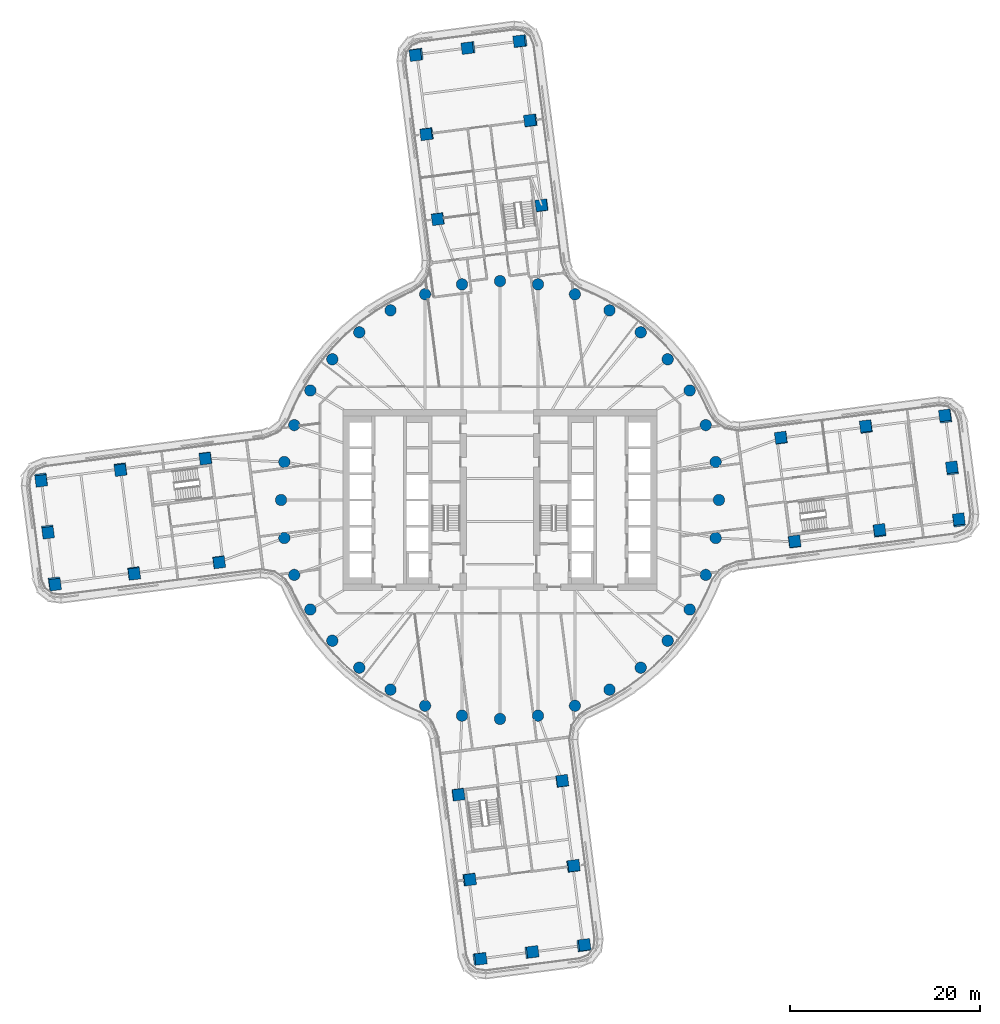
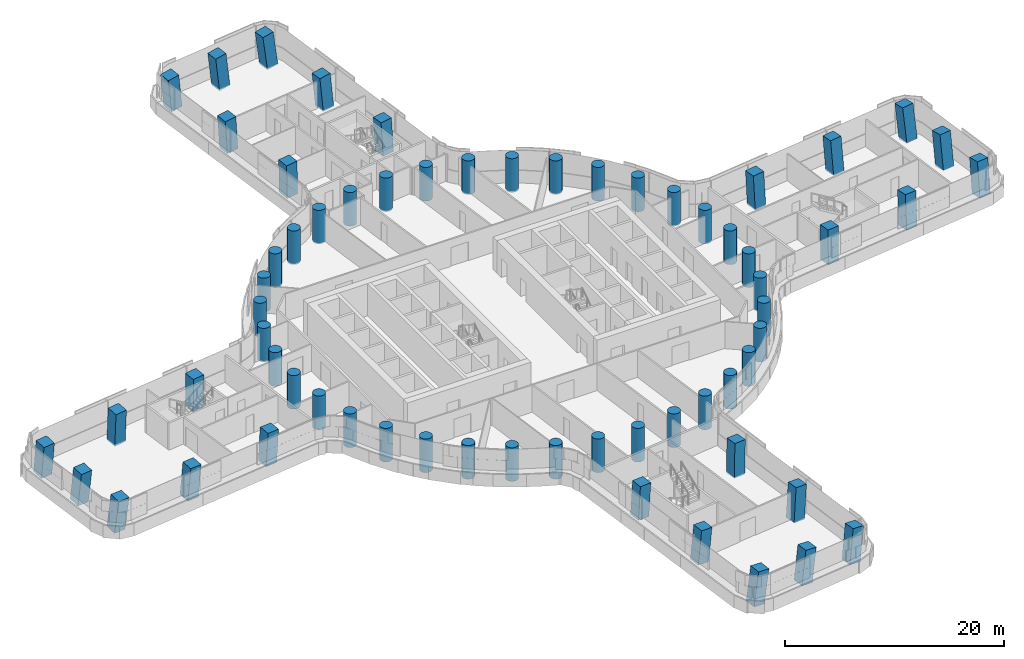
# One storey, part 1 of 31: 64 columns.
"""IFC4 building model written with IfcOpenShell, lengths in metres."""

from ifc_helpers import new_model, si_unit, direction, frame, origin, origin_2d, place, context, subcontext, project, spatial, rectangle, circle, extrude, material, material_profile, profile_set, type_object, element, save


model = new_model("IFC4")

# Units and contexts
model_context = context("Model", 3, precision=1e-05, world=origin(), true_north=direction((0.0, 1.0)))
body_context = subcontext(model_context, "Body", "Model", "MODEL_VIEW")
ifc_project = project(units=[si_unit("LENGTHUNIT", "METRE"), si_unit("AREAUNIT", "SQUARE_METRE"), si_unit("VOLUMEUNIT", "CUBIC_METRE"), si_unit("PLANEANGLEUNIT", "RADIAN"), si_unit("MASSUNIT", "GRAM", prefix="KILO")], contexts=[model_context])

# Site, building, storey
site_placement = place(None, origin())
site = spatial("IfcSite", under=ifc_project, at=site_placement, CompositionType="ELEMENT")
building_placement = place(site_placement, origin())
building = spatial("IfcBuilding", under=site, at=building_placement, Name="Tamarind Cross Interchange Tower", CompositionType="ELEMENT")
storey_placement = place(building_placement, frame((0.0, 0.0, 60.25)))
storey = spatial("IfcBuildingStorey", under=building, at=storey_placement, Name="L13", CompositionType="ELEMENT", Elevation=60.25)

# Columns
ifc_material = material(Name="Concrete C70", Category="concrete")
ifc_material_profile_1 = material_profile(ifc_material, rectangle(XDim=1.199951171875, YDim=1.199951171875, at=origin_2d()), Name="RC 1200x1200")
ifc_profile_set_1 = profile_set([ifc_material_profile_1], Name="Concrete C70")
column_type_1 = type_object("IfcColumnType", Name="Column RC 1200x1200 Concrete C70", PredefinedType="COLUMN", material=ifc_profile_set_1)
for number, where, z_axis, x_axis, name in (
    (1, (38.458984375, 7.65771484375, -0.138427734375), (-0.037775895651, 0.079381306496, 0.996128299913), (0.125309658626, -0.988594820619, 0.083533047953), "Column L13-036"),
    (2, (39.859375, -3.2529296875, -0.138427734375), (0.01499348981, 0.08665068786, 0.99612592254), (-0.991706370118, -0.125892030521, 0.025878023864), "Column L13-037"),
):
    element("IfcColumn", number, at=place(storey_placement, frame(where, z_axis=z_axis, x_axis=x_axis)), inside=storey, type_object=column_type_1, Name=name, PredefinedType="COLUMN", context=body_context, shape_type="SweptSolid", body=[
        extrude(rectangle(XDim=1.199951171875, YDim=1.199951171875, at=origin_2d()), origin(), (0.0, 0.0, 1.0), 3.761474609375),
    ])
for number, where, z_axis, x_axis, name in (
    (3, (29.5322265625, 6.511962890625, -0.138671875), (-0.031951689968, 0.036246621817, 0.998831953792), (0.127178856387, -0.991071576846, 0.040033336816), "Column L13-038"),
    (4, (30.9326171875, -4.398681640625, -0.138671875), (0.020954005809, 0.043599949975, 0.998829301734), (-0.991530870144, -0.127169597783, 0.026351981934), "Column L13-039"),
):
    element("IfcColumn", number, at=place(storey_placement, frame(where, z_axis=z_axis, x_axis=x_axis)), inside=storey, type_object=column_type_1, Name=name, PredefinedType="COLUMN", context=body_context, shape_type="SweptSolid", body=[
        extrude(rectangle(XDim=1.199951171875, YDim=1.199951171875, at=origin_2d()), origin(), (0.0, 0.0, 1.0), 3.751708984375),
    ])
column_1_placement = place(storey_placement, frame((48.199951171875, -2.182373046875, -0.138671875), z_axis=(0.002456162803, 0.125458210522, 0.992095864661), x_axis=(-0.991838353166, -0.126165557958, 0.018410137821)))
element("IfcColumn", 5, at=column_1_placement, inside=storey, type_object=column_type_1, Name="Column L13-040", PredefinedType="COLUMN", context=body_context, shape_type="SweptSolid", body=[
    extrude(rectangle(XDim=1.199951171875, YDim=1.199951171875, at=origin_2d()), origin(), (0.0, 0.0, 1.0), 3.777099609375),
])
column_2_placement = place(storey_placement, frame((47.499755859375, 3.27294921875, -0.138671875), z_axis=(-0.023789987305, 0.121859038234, 0.992262269415), x_axis=(0.125527909354, -0.98432367398, 0.123893699661)))
element("IfcColumn", 6, at=column_2_placement, inside=storey, type_object=column_type_1, Name="Column L13-041", PredefinedType="COLUMN", context=body_context, shape_type="SweptSolid", body=[
    extrude(rectangle(XDim=1.199951171875, YDim=1.199951171875, at=origin_2d()), origin(), (0.0, 0.0, 1.0), 3.776611328125),
])
column_3_placement = place(storey_placement, frame((46.799560546875, 8.728271484375, -0.138427734375), z_axis=(-0.050080707478, 0.118190469649, 0.991727248604), x_axis=(0.124106413523, -0.984540677402, 0.123601183909)))
element("IfcColumn", 7, at=column_3_placement, inside=storey, type_object=column_type_1, Name="Column L13-042", PredefinedType="COLUMN", context=body_context, shape_type="SweptSolid", body=[
    extrude(rectangle(XDim=1.199951171875, YDim=1.199951171875, at=origin_2d()), origin(), (0.0, 0.0, 1.0), 3.778076171875),
])
for number, where, z_axis, x_axis, name in (
    (8, (-7.65771484375, 38.458984375, -0.138427734375), (-0.079381306496, -0.037775895651, 0.996128299913), (0.988594820619, 0.125309658626, 0.083533047953), "Column L13-043"),
    (9, (3.2529296875, 39.859375, -0.138427734375), (-0.08665068786, 0.01499348981, 0.99612592254), (0.125892030521, -0.991706370118, 0.025878023864), "Column L13-044"),
):
    element("IfcColumn", number, at=place(storey_placement, frame(where, z_axis=z_axis, x_axis=x_axis)), inside=storey, type_object=column_type_1, Name=name, PredefinedType="COLUMN", context=body_context, shape_type="SweptSolid", body=[
        extrude(rectangle(XDim=1.199951171875, YDim=1.199951171875, at=origin_2d()), origin(), (0.0, 0.0, 1.0), 3.761474609375),
    ])
for number, where, z_axis, x_axis, name in (
    (10, (-6.511962890625, 29.5322265625, -0.138671875), (-0.036246621817, -0.031951689968, 0.998831953792), (0.991071576846, 0.127178856387, 0.040033336816), "Column L13-045"),
    (11, (4.398681640625, 30.9326171875, -0.138671875), (-0.043599949975, 0.020954005809, 0.998829301734), (0.127169597783, -0.991530870144, 0.026351981934), "Column L13-046"),
):
    element("IfcColumn", number, at=place(storey_placement, frame(where, z_axis=z_axis, x_axis=x_axis)), inside=storey, type_object=column_type_1, Name=name, PredefinedType="COLUMN", context=body_context, shape_type="SweptSolid", body=[
        extrude(rectangle(XDim=1.199951171875, YDim=1.199951171875, at=origin_2d()), origin(), (0.0, 0.0, 1.0), 3.751708984375),
    ])
column_4_placement = place(storey_placement, frame((2.182373046875, 48.199951171875, -0.138671875), z_axis=(-0.125458210522, 0.002456162803, 0.992095864661), x_axis=(0.126165557958, -0.991838353166, 0.018410137821)))
element("IfcColumn", 12, at=column_4_placement, inside=storey, type_object=column_type_1, Name="Column L13-047", PredefinedType="COLUMN", context=body_context, shape_type="SweptSolid", body=[
    extrude(rectangle(XDim=1.199951171875, YDim=1.199951171875, at=origin_2d()), origin(), (0.0, 0.0, 1.0), 3.777099609375),
])
column_5_placement = place(storey_placement, frame((-3.27294921875, 47.499755859375, -0.138671875), z_axis=(-0.121859038234, -0.023789987305, 0.992262269415), x_axis=(0.98432367398, 0.125527909354, 0.123893699661)))
element("IfcColumn", 13, at=column_5_placement, inside=storey, type_object=column_type_1, Name="Column L13-048", PredefinedType="COLUMN", context=body_context, shape_type="SweptSolid", body=[
    extrude(rectangle(XDim=1.199951171875, YDim=1.199951171875, at=origin_2d()), origin(), (0.0, 0.0, 1.0), 3.776611328125),
])
column_6_placement = place(storey_placement, frame((-8.728271484375, 46.799560546875, -0.138427734375), z_axis=(-0.118190469649, -0.050080707478, 0.991727248604), x_axis=(0.984540677402, 0.124106413523, 0.123601183909)))
element("IfcColumn", 14, at=column_6_placement, inside=storey, type_object=column_type_1, Name="Column L13-049", PredefinedType="COLUMN", context=body_context, shape_type="SweptSolid", body=[
    extrude(rectangle(XDim=1.199951171875, YDim=1.199951171875, at=origin_2d()), origin(), (0.0, 0.0, 1.0), 3.778076171875),
])
for number, where, z_axis, x_axis, name in (
    (15, (-38.458984375, -7.65771484375, -0.138427734375), (0.037775895651, -0.079381306496, 0.996128299913), (-0.125309658626, 0.988594820619, 0.083533047953), "Column L13-050"),
    (16, (-39.859375, 3.2529296875, -0.138427734375), (-0.01499348981, -0.08665068786, 0.99612592254), (0.991706370118, 0.125892030521, 0.025878023864), "Column L13-051"),
):
    element("IfcColumn", number, at=place(storey_placement, frame(where, z_axis=z_axis, x_axis=x_axis)), inside=storey, type_object=column_type_1, Name=name, PredefinedType="COLUMN", context=body_context, shape_type="SweptSolid", body=[
        extrude(rectangle(XDim=1.199951171875, YDim=1.199951171875, at=origin_2d()), origin(), (0.0, 0.0, 1.0), 3.761474609375),
    ])
for number, where, z_axis, x_axis, name in (
    (17, (-29.5322265625, -6.511962890625, -0.138671875), (0.031951689968, -0.036246621817, 0.998831953792), (-0.127178856387, 0.991071576846, 0.040033336816), "Column L13-052"),
    (18, (-30.9326171875, 4.398681640625, -0.138671875), (-0.020954005809, -0.043599949975, 0.998829301734), (0.991530870144, 0.127169597783, 0.026351981934), "Column L13-053"),
):
    element("IfcColumn", number, at=place(storey_placement, frame(where, z_axis=z_axis, x_axis=x_axis)), inside=storey, type_object=column_type_1, Name=name, PredefinedType="COLUMN", context=body_context, shape_type="SweptSolid", body=[
        extrude(rectangle(XDim=1.199951171875, YDim=1.199951171875, at=origin_2d()), origin(), (0.0, 0.0, 1.0), 3.751708984375),
    ])
column_7_placement = place(storey_placement, frame((-48.199951171875, 2.182373046875, -0.138671875), z_axis=(-0.002456162803, -0.125458210522, 0.992095864661), x_axis=(0.991838353166, 0.126165557958, 0.018410137821)))
element("IfcColumn", 19, at=column_7_placement, inside=storey, type_object=column_type_1, Name="Column L13-054", PredefinedType="COLUMN", context=body_context, shape_type="SweptSolid", body=[
    extrude(rectangle(XDim=1.199951171875, YDim=1.199951171875, at=origin_2d()), origin(), (0.0, 0.0, 1.0), 3.777099609375),
])
column_8_placement = place(storey_placement, frame((-47.499755859375, -3.27294921875, -0.138671875), z_axis=(0.023789987305, -0.121859038234, 0.992262269415), x_axis=(-0.125527909354, 0.98432367398, 0.123893699661)))
element("IfcColumn", 20, at=column_8_placement, inside=storey, type_object=column_type_1, Name="Column L13-055", PredefinedType="COLUMN", context=body_context, shape_type="SweptSolid", body=[
    extrude(rectangle(XDim=1.199951171875, YDim=1.199951171875, at=origin_2d()), origin(), (0.0, 0.0, 1.0), 3.776611328125),
])
column_9_placement = place(storey_placement, frame((-46.799560546875, -8.728271484375, -0.138427734375), z_axis=(0.050080707478, -0.118190469649, 0.991727248604), x_axis=(-0.124106413523, 0.984540677402, 0.123601183909)))
element("IfcColumn", 21, at=column_9_placement, inside=storey, type_object=column_type_1, Name="Column L13-056", PredefinedType="COLUMN", context=body_context, shape_type="SweptSolid", body=[
    extrude(rectangle(XDim=1.199951171875, YDim=1.199951171875, at=origin_2d()), origin(), (0.0, 0.0, 1.0), 3.778076171875),
])
for number, where, z_axis, x_axis, name in (
    (22, (7.65771484375, -38.458984375, -0.138427734375), (0.079381306496, 0.037775895651, 0.996128299913), (-0.988594820619, -0.125309658626, 0.083533047953), "Column L13-057"),
    (23, (-3.2529296875, -39.859375, -0.138427734375), (0.08665068786, -0.01499348981, 0.99612592254), (-0.125892030521, 0.991706370118, 0.025878023864), "Column L13-058"),
):
    element("IfcColumn", number, at=place(storey_placement, frame(where, z_axis=z_axis, x_axis=x_axis)), inside=storey, type_object=column_type_1, Name=name, PredefinedType="COLUMN", context=body_context, shape_type="SweptSolid", body=[
        extrude(rectangle(XDim=1.199951171875, YDim=1.199951171875, at=origin_2d()), origin(), (0.0, 0.0, 1.0), 3.761474609375),
    ])
for number, where, z_axis, x_axis, name in (
    (24, (6.511962890625, -29.5322265625, -0.138671875), (0.036246621817, 0.031951689968, 0.998831953792), (-0.991071576846, -0.127178856387, 0.040033336816), "Column L13-059"),
    (25, (-4.398681640625, -30.9326171875, -0.138671875), (0.043599949975, -0.020954005809, 0.998829301734), (-0.127169597783, 0.991530870144, 0.026351981934), "Column L13-060"),
):
    element("IfcColumn", number, at=place(storey_placement, frame(where, z_axis=z_axis, x_axis=x_axis)), inside=storey, type_object=column_type_1, Name=name, PredefinedType="COLUMN", context=body_context, shape_type="SweptSolid", body=[
        extrude(rectangle(XDim=1.199951171875, YDim=1.199951171875, at=origin_2d()), origin(), (0.0, 0.0, 1.0), 3.751708984375),
    ])
column_10_placement = place(storey_placement, frame((-2.182373046875, -48.199951171875, -0.138671875), z_axis=(0.125458210522, -0.002456162803, 0.992095864661), x_axis=(-0.126165557958, 0.991838353166, 0.018410137821)))
element("IfcColumn", 26, at=column_10_placement, inside=storey, type_object=column_type_1, Name="Column L13-061", PredefinedType="COLUMN", context=body_context, shape_type="SweptSolid", body=[
    extrude(rectangle(XDim=1.199951171875, YDim=1.199951171875, at=origin_2d()), origin(), (0.0, 0.0, 1.0), 3.777099609375),
])
column_11_placement = place(storey_placement, frame((3.27294921875, -47.499755859375, -0.138671875), z_axis=(0.121859038234, 0.023789987305, 0.992262269415), x_axis=(-0.98432367398, -0.125527909354, 0.123893699661)))
element("IfcColumn", 27, at=column_11_placement, inside=storey, type_object=column_type_1, Name="Column L13-062", PredefinedType="COLUMN", context=body_context, shape_type="SweptSolid", body=[
    extrude(rectangle(XDim=1.199951171875, YDim=1.199951171875, at=origin_2d()), origin(), (0.0, 0.0, 1.0), 3.776611328125),
])
column_12_placement = place(storey_placement, frame((8.728271484375, -46.799560546875, -0.138427734375), z_axis=(0.118190469649, 0.050080707478, 0.991727248604), x_axis=(-0.984540677402, -0.124106413523, 0.123601183909)))
element("IfcColumn", 28, at=column_12_placement, inside=storey, type_object=column_type_1, Name="Column L13-063", PredefinedType="COLUMN", context=body_context, shape_type="SweptSolid", body=[
    extrude(rectangle(XDim=1.199951171875, YDim=1.199951171875, at=origin_2d()), origin(), (0.0, 0.0, 1.0), 3.778076171875),
])
ifc_material_profile_2 = material_profile(ifc_material, circle(Radius=0.60009765625, at=origin_2d()), Name="RC D1200")
ifc_profile_set_2 = profile_set([ifc_material_profile_2], Name="Concrete C70")
column_type_2 = type_object("IfcColumnType", Name="Column RC D1200 Concrete C70", PredefinedType="COLUMN", material=ifc_profile_set_2)
for number, where, z_axis, x_axis, name in (
    (29, (23.0, 0.0, -0.139892578125), (0.0, 0.0, 1.0), (1.0, 0.0, 0.0), "Column L13-000"),
    (30, (22.650634765625, 3.993896484375, -0.139892578125), (0.0, 0.0, 1.0), (1.0, 0.0, 0.0), "Column L13-001"),
    (31, (21.613037109375, 7.866455078125, -0.139892578125), (0.0, 0.0, 1.0), (1.0, 0.0, 0.0), "Column L13-002"),
    (32, (19.918701171875, 11.5, -0.139892578125), (0.0, 0.0, 1.0), (1.0, 0.0, 0.0), "Column L13-003"),
    (33, (17.619140625, 14.7841796875, -0.139892578125), (0.0, 0.0, 1.0), (1.0, 0.0, 0.0), "Column L13-004"),
    (34, (14.7841796875, 17.619140625, -0.139892578125), (0.0, 0.0, 1.0), (1.0, 0.0, 0.0), "Column L13-005"),
    (35, (11.5, 19.918701171875, -0.139892578125), (0.0, 0.0, 1.0), (1.0, 0.0, 0.0), "Column L13-006"),
    (36, (7.866455078125, 21.613037109375, -0.139892578125), (0.0, 0.0, 1.0), (1.0, 0.0, 0.0), "Column L13-007"),
    (37, (3.993896484375, 22.650634765625, -0.139892578125), (0.0, 0.0, 1.0), (1.0, 0.0, 0.0), "Column L13-008"),
    (38, (0.0, 23.0, -0.139892578125), (0.0, 0.0, 1.0), (1.0, 0.0, 0.0), "Column L13-009"),
    (39, (-3.993896484375, 22.650634765625, -0.139892578125), (0.0, 0.0, 1.0), (1.0, 0.0, 0.0), "Column L13-010"),
    (40, (-7.866455078125, 21.613037109375, -0.139892578125), (0.0, 0.0, 1.0), (1.0, 0.0, 0.0), "Column L13-011"),
    (41, (-11.5, 19.918701171875, -0.139892578125), (0.0, 0.0, 1.0), (1.0, 0.0, 0.0), "Column L13-012"),
    (42, (-14.7841796875, 17.619140625, -0.139892578125), (0.0, 0.0, 1.0), (1.0, 0.0, 0.0), "Column L13-013"),
    (43, (-17.619140625, 14.7841796875, -0.139892578125), (0.0, 0.0, 1.0), (1.0, 0.0, 0.0), "Column L13-014"),
    (44, (-19.918701171875, 11.5, -0.139892578125), (0.0, 0.0, 1.0), (1.0, 0.0, 0.0), "Column L13-015"),
    (45, (-21.613037109375, 7.866455078125, -0.139892578125), (0.0, 0.0, 1.0), (1.0, 0.0, 0.0), "Column L13-016"),
    (46, (-22.650634765625, 3.993896484375, -0.139892578125), (0.0, 0.0, 1.0), (1.0, 0.0, 0.0), "Column L13-017"),
    (47, (-23.0, 0.0, -0.139892578125), (0.0, 0.0, 1.0), (1.0, 0.0, 0.0), "Column L13-018"),
    (48, (-22.650634765625, -3.993896484375, -0.139892578125), (0.0, 0.0, 1.0), (1.0, 0.0, 0.0), "Column L13-019"),
    (49, (-21.613037109375, -7.866455078125, -0.139892578125), (0.0, 0.0, 1.0), (1.0, 0.0, 0.0), "Column L13-020"),
    (50, (-19.918701171875, -11.5, -0.139892578125), (0.0, 0.0, 1.0), (1.0, 0.0, 0.0), "Column L13-021"),
    (51, (-17.619140625, -14.7841796875, -0.139892578125), (0.0, 0.0, 1.0), (1.0, 0.0, 0.0), "Column L13-022"),
    (52, (-14.7841796875, -17.619140625, -0.139892578125), (0.0, 0.0, 1.0), (1.0, 0.0, 0.0), "Column L13-023"),
    (53, (-11.5, -19.918701171875, -0.139892578125), (0.0, 0.0, 1.0), (1.0, 0.0, 0.0), "Column L13-024"),
    (54, (-7.866455078125, -21.613037109375, -0.139892578125), (0.0, 0.0, 1.0), (1.0, 0.0, 0.0), "Column L13-025"),
    (55, (-3.993896484375, -22.650634765625, -0.139892578125), (0.0, 0.0, 1.0), (1.0, 0.0, 0.0), "Column L13-026"),
    (56, (0.0, -23.0, -0.139892578125), (0.0, 0.0, 1.0), (1.0, 0.0, 0.0), "Column L13-027"),
    (57, (3.993896484375, -22.650634765625, -0.139892578125), (0.0, 0.0, 1.0), (1.0, 0.0, 0.0), "Column L13-028"),
    (58, (7.866455078125, -21.613037109375, -0.139892578125), (0.0, 0.0, 1.0), (1.0, 0.0, 0.0), "Column L13-029"),
    (59, (11.5, -19.918701171875, -0.139892578125), (0.0, 0.0, 1.0), (1.0, 0.0, 0.0), "Column L13-030"),
    (60, (14.7841796875, -17.619140625, -0.139892578125), (0.0, 0.0, 1.0), (1.0, 0.0, 0.0), "Column L13-031"),
    (61, (17.619140625, -14.7841796875, -0.139892578125), (0.0, 0.0, 1.0), (1.0, 0.0, 0.0), "Column L13-032"),
    (62, (19.918701171875, -11.5, -0.139892578125), (0.0, 0.0, 1.0), (1.0, 0.0, 0.0), "Column L13-033"),
    (63, (21.613037109375, -7.866455078125, -0.139892578125), (0.0, 0.0, 1.0), (1.0, 0.0, 0.0), "Column L13-034"),
    (64, (22.650634765625, -3.993896484375, -0.139892578125), (0.0, 0.0, 1.0), (1.0, 0.0, 0.0), "Column L13-035"),
):
    element("IfcColumn", number, at=place(storey_placement, frame(where, z_axis=z_axis, x_axis=x_axis)), inside=storey, type_object=column_type_2, Name=name, PredefinedType="COLUMN", context=body_context, shape_type="SweptSolid", body=[
        extrude(circle(Radius=0.60009765625, at=origin_2d()), origin(), (0.0, 0.0, 1.0), 3.75),
    ])

save(model, "model.ifc")
